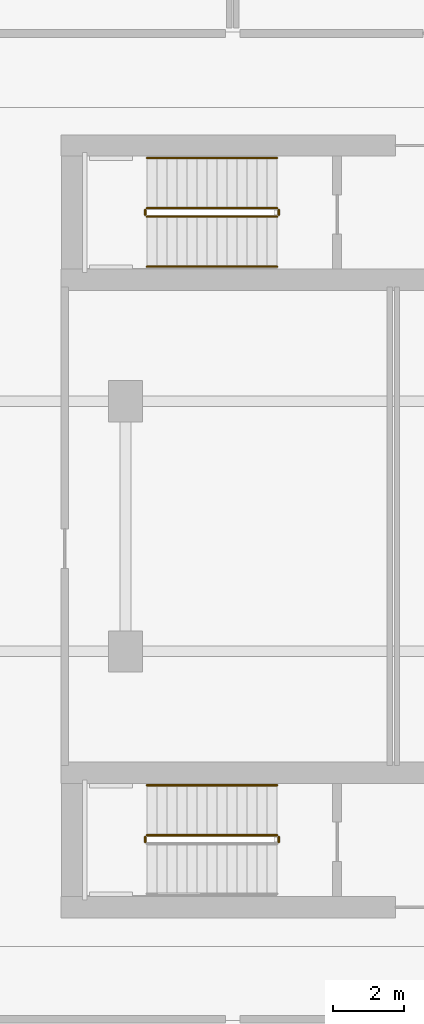
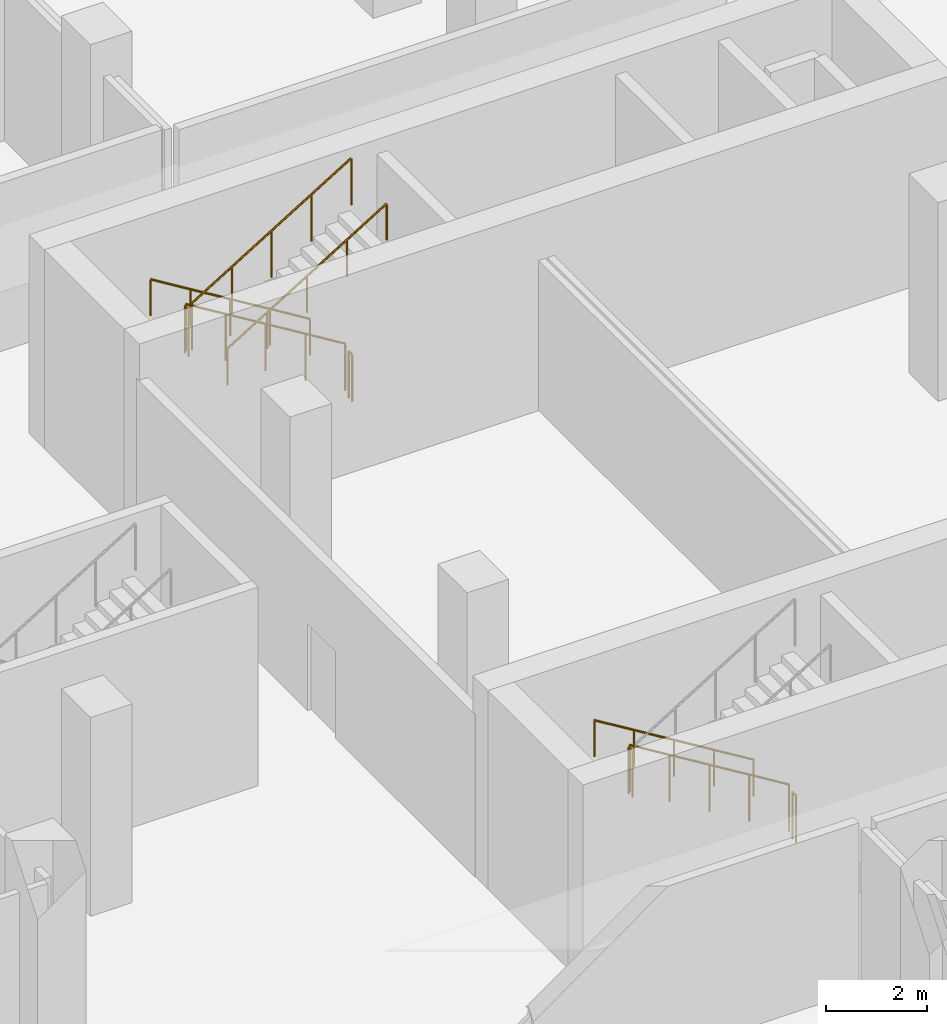
# One storey, part 23 of 23: 10 railings.
"""IFC4 building model written with IfcOpenShell, lengths in metres."""

import ifcopenshell
import ifcopenshell.guid

model = None  # the IFC model being written
_history = None  # IfcOwnerHistory: only IFC2X3 demands one
_inside = {}  # id of a spatial element -> (the spatial element, [elements in it])
_under = {}  # id of a project, library or spatial element -> (it, [spatial elements below it])
_declared = {}  # id of a project -> (the project, [libraries it declares])
_typed = {}  # id of a type object -> (the type object, [elements of that type])
_made_of = {}  # id of a material, layer set ... -> (it, [elements and type objects made of it])


def new_model(schema):
    """Start an empty IFC model of exactly this schema.

    Asked for "IFC4X3", IfcOpenShell would pick the latest addendum, in which some entities
    have other attributes; the version numbers below select the first issue.
    IFC2X3 requires an IfcOwnerHistory on every rooted entity: one is made here for all.
    """
    global model, _history
    if schema == "IFC4X3":
        model = ifcopenshell.file(schema_version=(4, 3, 0, 0))
    else:
        model = ifcopenshell.file(schema=schema)
    _inside.clear()
    _under.clear()
    _declared.clear()
    _typed.clear()
    _made_of.clear()
    _history = None
    if model.schema == "IFC2X3":
        org = make("IfcOrganization", Name="unknown")
        user = make(
            "IfcPersonAndOrganization",
            ThePerson=make("IfcPerson", FamilyName="unknown"),
            TheOrganization=org,
        )
        app = make(
            "IfcApplication",
            ApplicationDeveloper=org,
            Version="unknown",
            ApplicationFullName="unknown",
            ApplicationIdentifier="unknown",
        )
        _history = make(
            "IfcOwnerHistory",
            OwningUser=user,
            OwningApplication=app,
            ChangeAction="ADDED",
            CreationDate=0,
        )
    return model


def make(cls, **values):
    """One entity of the class cls with the attributes given. An attribute that is None is left unset."""
    return model.create_entity(
        cls, **{name: value for name, value in values.items() if value is not None}
    )


def rooted(cls, **values):
    """An entity with a GlobalId (a new one), such as an element, a storey or a relation."""
    return make(cls, GlobalId=ifcopenshell.guid.new(), OwnerHistory=_history, **values)


def si_unit(unit_type, name, prefix=None):
    """IfcSIUnit, for example si_unit("LENGTHUNIT", "METRE", prefix="MILLI")."""
    return make("IfcSIUnit", UnitType=unit_type, Prefix=prefix, Name=name)


def derived_unit(unit_type, elements):
    """IfcDerivedUnit: a product of units, each with its exponent."""
    return make(
        "IfcDerivedUnit",
        Elements=[
            make("IfcDerivedUnitElement", Unit=unit, Exponent=power)
            for unit, power in elements
        ],
        UnitType=unit_type,
    )


def assignment(units):
    """IfcUnitAssignment: the units of a project."""
    return None if units is None else make("IfcUnitAssignment", Units=units)


def point(xyz):
    """IfcCartesianPoint."""
    return None if xyz is None else make("IfcCartesianPoint", Coordinates=xyz)


def direction(xyz):
    """IfcDirection."""
    return None if xyz is None else make("IfcDirection", DirectionRatios=xyz)


def frame(location, z_axis=None, x_axis=None):
    """IfcAxis2Placement3D, a coordinate frame: its origin and axes. An axis left out is left unset."""
    return make(
        "IfcAxis2Placement3D",
        Location=point(location),
        Axis=direction(z_axis),
        RefDirection=direction(x_axis),
    )


def frame_2d(location, x_axis=None):
    """IfcAxis2Placement2D, a coordinate frame in the plane: its origin and x axis."""
    return make(
        "IfcAxis2Placement2D", Location=point(location), RefDirection=direction(x_axis)
    )


def origin():
    """The frame at (0, 0, 0) with its axes left unset."""
    return frame((0.0, 0.0, 0.0))


def origin_2d():
    """The frame at (0, 0) in the plane with its x axis left unset."""
    return frame_2d((0.0, 0.0))


def place(relative_to, where):
    """IfcLocalPlacement: puts the frame where relative to a parent placement (None: the world)."""
    return make(
        "IfcLocalPlacement", PlacementRelTo=relative_to, RelativePlacement=where
    )


def context(
    kind, dimensions, precision=None, world=None, true_north=None, identifier=None
):
    """IfcGeometricRepresentationContext, for example the 3D "Model" context."""
    return make(
        "IfcGeometricRepresentationContext",
        ContextIdentifier=identifier,
        ContextType=kind,
        CoordinateSpaceDimension=dimensions,
        Precision=precision,
        WorldCoordinateSystem=world,
        TrueNorth=true_north,
    )


def subcontext(parent, identifier, kind, view, scale=None):
    """IfcGeometricRepresentationSubContext, for example "Body" below "Model"."""
    return make(
        "IfcGeometricRepresentationSubContext",
        ContextIdentifier=identifier,
        ContextType=kind,
        ParentContext=parent,
        TargetScale=scale,
        TargetView=view,
    )


def project(units=None, contexts=None):
    """IfcProject with its units and contexts."""
    return rooted(
        "IfcProject",
        Name="project",
        RepresentationContexts=contexts,
        UnitsInContext=assignment(units),
    )


def spatial(cls, under=None, at=None, **own):
    """A site, building, storey or space (cls), placed at a placement, below another one or the project."""
    s = rooted(cls, ObjectPlacement=at, **own)
    if under is not None:
        _under.setdefault(under.id(), (under, []))[1].append(s)
    return s


def profile(cls, at=None, kind="AREA", **sizes):
    """A parametric profile (cls). Its sizes go by their IFC names, for example OverallWidth=200.0."""
    return make(cls, ProfileType=kind, Position=at, **sizes)


def circle(**sizes):
    """IfcCircleProfileDef."""
    return profile("IfcCircleProfileDef", **sizes)


def extrude(swept, where, along, depth):
    """IfcExtrudedAreaSolid: the profile swept, set in the frame where, extruded along a direction by depth."""
    return make(
        "IfcExtrudedAreaSolid",
        SweptArea=swept,
        Position=where,
        ExtrudedDirection=direction(along),
        Depth=depth,
    )


def shape(context_of_items, identifier, shape_type, items):
    """IfcShapeRepresentation: the items that make up one representation, for example the "Body"."""
    return make(
        "IfcShapeRepresentation",
        ContextOfItems=context_of_items,
        RepresentationIdentifier=identifier,
        RepresentationType=shape_type,
        Items=items,
    )


def material(Name=None, Category=None):
    """IfcMaterial."""
    return make("IfcMaterial", Name=Name, Category=Category)


def made_of(thing, what):
    """Note that an element or type object is made of a material, layer set ...; save() writes the relation."""
    if what is not None:
        _made_of.setdefault(what.id(), (what, []))[1].append(thing)
    return thing


def type_object(cls, material=None, **own):
    """A type object (cls), such as IfcWallType, which elements share."""
    return made_of(rooted(cls, **own), material)


def element(
    cls,
    number,
    at=None,
    inside=None,
    cuts=None,
    type_object=None,
    material=None,
    context=None,
    identifier="Body",
    shape_type=None,
    held_by="IfcProductDefinitionShape",
    body=None,
    shapes=None,
    **own,
):
    """One element of the class cls, such as IfcWall. Its Tag is "e" and its number.

    at: its placement. inside: the storey or other place that contains it. cuts: it is an
    opening in that element (IfcRelVoidsElement). A single representation is given by context,
    identifier, shape_type and body (its items); several are given by shapes. held_by: the class
    of the entity that holds the representations. save() writes the other relations.
    """
    e = rooted(cls, Tag="e%d" % number, ObjectPlacement=at, **own)
    if body is not None:
        shapes = [shape(context, identifier, shape_type, body)]
    if shapes is not None:
        e.Representation = make(held_by, Representations=shapes)
    if inside is not None:
        _inside.setdefault(inside.id(), (inside, []))[1].append(e)
    if cuts is not None:
        rooted(
            "IfcRelVoidsElement", RelatingBuildingElement=cuts, RelatedOpeningElement=e
        )
    if type_object is not None:
        _typed.setdefault(type_object.id(), (type_object, []))[1].append(e)
    return made_of(e, material)


def aggregate(whole, parts):
    """IfcRelAggregates: a whole, such as a stair, and the parts it consists of."""
    return rooted("IfcRelAggregates", RelatingObject=whole, RelatedObjects=parts)


def save(model, path):
    """Write the relations noted so far, then the file.

    IfcRelAggregates (storeys below a building ...), IfcRelContainedInSpatialStructure (elements
    in a storey), IfcRelDefinesByType, IfcRelAssociatesMaterial and IfcRelDeclares: one each for
    every whole, place, type object, material and project.
    """
    for whole, parts in _under.values():
        aggregate(whole, parts)
    for where, things in _inside.values():
        rooted(
            "IfcRelContainedInSpatialStructure",
            RelatedElements=things,
            RelatingStructure=where,
        )
    for kind, things in _typed.values():
        rooted("IfcRelDefinesByType", RelatedObjects=things, RelatingType=kind)
    for what, things in _made_of.values():
        rooted("IfcRelAssociatesMaterial", RelatedObjects=things, RelatingMaterial=what)
    for by, libraries in _declared.values():
        rooted("IfcRelDeclares", RelatingContext=by, RelatedDefinitions=libraries)
    model.write(path)


model = new_model("IFC4")

# Units and contexts
model_context = context("Model", 3, precision=1e-05, world=origin(), true_north=direction((0.0, 1.0)))
body_context = subcontext(model_context, "Body", "Model", "MODEL_VIEW")
ifc_project = project(units=[si_unit("LENGTHUNIT", "METRE"), si_unit("AREAUNIT", "SQUARE_METRE"), si_unit("VOLUMEUNIT", "CUBIC_METRE"), si_unit("PLANEANGLEUNIT", "RADIAN"), si_unit("MASSUNIT", "GRAM", prefix="KILO"), derived_unit("THERMALTRANSMITTANCEUNIT", [(si_unit("POWERUNIT", "WATT"), 1), (si_unit("LENGTHUNIT", "METRE"), -2), (si_unit("THERMODYNAMICTEMPERATUREUNIT", "KELVIN"), -1)])], contexts=[model_context])

# Site, building, storey
site_placement = place(None, origin())
site = spatial("IfcSite", under=ifc_project, at=site_placement, CompositionType="ELEMENT")
building_placement = place(site_placement, origin())
building = spatial("IfcBuilding", under=site, at=building_placement, Name="Kivonza Crest Hotel", CompositionType="ELEMENT")
storey_placement = place(building_placement, frame((0.0, 0.0, 5.39990234375)))
storey = spatial("IfcBuildingStorey", under=building, at=storey_placement, Name="L01", CompositionType="ELEMENT", Elevation=5.39990234375)

# Railings
ifc_material_1 = material(Name="Brushed stainless steel handrail", Category="steel")
railing_type_1 = type_object("IfcRailingType", Name="RL-HAND-900", PredefinedType="HANDRAIL", material=ifc_material_1)
railing_1_placement = place(storey_placement, frame((73.840087890625, 35.31005859375, 0.171630859375)))
element("IfcRailing", 1, at=railing_1_placement, inside=storey, type_object=railing_type_1, Name="L01 ST-T2-N stair handrail 1", PredefinedType="HANDRAIL", context=body_context, shape_type="SweptSolid", body=[
    extrude(circle(Radius=0.02392578125, at=origin_2d()), frame((0.0, 0.0, 0.8759765625), z_axis=(-0.852865859571, 0.0, 0.52213008492), x_axis=(0.0, -1.0, 0.0)), (0.0, 0.0, 1.0), 4.26806640625),
    extrude(circle(Radius=0.02099609375, at=origin_2d()), origin(), (0.0, 0.0, 1.0), 0.851806640625),
    extrude(circle(Radius=0.02099609375, at=origin_2d()), frame((-0.91015625, 0.0, 0.55712890625)), (0.0, 0.0, 1.0), 0.851806640625),
    extrude(circle(Radius=0.02099609375, at=origin_2d()), frame((-1.820068359375, 0.0, 1.1142578125)), (0.0, 0.0, 1.0), 0.851806640625),
    extrude(circle(Radius=0.02099609375, at=origin_2d()), frame((-2.72998046875, 0.0, 1.67138671875)), (0.0, 0.0, 1.0), 0.851806640625),
    extrude(circle(Radius=0.02099609375, at=origin_2d()), frame((-3.64013671875, 0.0, 2.228515625)), (0.0, 0.0, 1.0), 0.851806640625),
])
railing_2_placement = place(storey_placement, frame((70.199951171875, 32.27001953125, 2.571533203125)))
element("IfcRailing", 2, at=railing_2_placement, inside=storey, type_object=railing_type_1, Name="L01 ST-T2-N stair handrail 2", PredefinedType="HANDRAIL", context=body_context, shape_type="SweptSolid", body=[
    extrude(circle(Radius=0.02392578125, at=origin_2d()), frame((0.0, 0.0, 0.8759765625), z_axis=(0.852865859571, 0.0, 0.52213008492), x_axis=(0.0, 1.0, 0.0)), (0.0, 0.0, 1.0), 4.26806640625),
    extrude(circle(Radius=0.02099609375, at=origin_2d()), origin(), (0.0, 0.0, 1.0), 0.851806640625),
    extrude(circle(Radius=0.02099609375, at=origin_2d()), frame((0.91015625, 0.0, 0.55712890625)), (0.0, 0.0, 1.0), 0.851806640625),
    extrude(circle(Radius=0.02099609375, at=origin_2d()), frame((1.820068359375, 0.0, 1.1142578125)), (0.0, 0.0, 1.0), 0.851806640625),
    extrude(circle(Radius=0.02099609375, at=origin_2d()), frame((2.72998046875, 0.0, 1.67138671875)), (0.0, 0.0, 1.0), 0.851806640625),
    extrude(circle(Radius=0.02099609375, at=origin_2d()), frame((3.64013671875, 0.0, 2.228515625)), (0.0, 0.0, 1.0), 0.851806640625),
])
railing_3_placement = place(storey_placement, frame((73.840087890625, 17.75, 0.171630859375)))
element("IfcRailing", 3, at=railing_3_placement, inside=storey, type_object=railing_type_1, Name="L01 ST-T2-S stair handrail 1", PredefinedType="HANDRAIL", context=body_context, shape_type="SweptSolid", body=[
    extrude(circle(Radius=0.02392578125, at=origin_2d()), frame((0.0, 0.0, 0.8759765625), z_axis=(-0.852865859571, 0.0, 0.52213008492), x_axis=(0.0, -1.0, 0.0)), (0.0, 0.0, 1.0), 4.26806640625),
    extrude(circle(Radius=0.02099609375, at=origin_2d()), origin(), (0.0, 0.0, 1.0), 0.851806640625),
    extrude(circle(Radius=0.02099609375, at=origin_2d()), frame((-0.91015625, 0.0, 0.55712890625)), (0.0, 0.0, 1.0), 0.851806640625),
    extrude(circle(Radius=0.02099609375, at=origin_2d()), frame((-1.820068359375, 0.0, 1.1142578125)), (0.0, 0.0, 1.0), 0.851806640625),
    extrude(circle(Radius=0.02099609375, at=origin_2d()), frame((-2.72998046875, 0.0, 1.67138671875)), (0.0, 0.0, 1.0), 0.851806640625),
    extrude(circle(Radius=0.02099609375, at=origin_2d()), frame((-3.64013671875, 0.0, 2.228515625)), (0.0, 0.0, 1.0), 0.851806640625),
])
ifc_material_2 = material(Name="Painted steel balustrade", Category="steel")
railing_type_2 = type_object("IfcRailingType", Name="RL-STAIR-1150", PredefinedType="BALUSTRADE", material=ifc_material_2)
railing_4_placement = place(storey_placement, frame((73.840087890625, 33.909912109375, 0.171630859375)))
element("IfcRailing", 4, at=railing_4_placement, inside=storey, type_object=railing_type_2, Name="L01 ST-T2-N stair guard 1", PredefinedType="BALUSTRADE", context=body_context, shape_type="SweptSolid", body=[
    extrude(circle(Radius=0.02392578125, at=origin_2d()), frame((0.0, 0.0, 1.1259765625), z_axis=(-0.852865859571, 0.0, 0.52213008492), x_axis=(0.0, -1.0, 0.0)), (0.0, 0.0, 1.0), 4.26806640625),
    extrude(circle(Radius=0.02099609375, at=origin_2d()), origin(), (0.0, 0.0, 1.0), 1.101806640625),
    extrude(circle(Radius=0.02099609375, at=origin_2d()), frame((-0.91015625, 0.0, 0.55712890625)), (0.0, 0.0, 1.0), 1.101806640625),
    extrude(circle(Radius=0.02099609375, at=origin_2d()), frame((-1.820068359375, 0.0, 1.1142578125)), (0.0, 0.0, 1.0), 1.101806640625),
    extrude(circle(Radius=0.02099609375, at=origin_2d()), frame((-2.72998046875, 0.0, 1.67138671875)), (0.0, 0.0, 1.0), 1.101806640625),
    extrude(circle(Radius=0.02099609375, at=origin_2d()), frame((-3.64013671875, 0.0, 2.228515625)), (0.0, 0.0, 1.0), 1.101806640625),
])
railing_5_placement = place(storey_placement, frame((70.14990234375, 33.860107421875, 2.400146484375)))
element("IfcRailing", 5, at=railing_5_placement, inside=storey, type_object=railing_type_2, Name="L01 ST-T2-N stair guard 2", PredefinedType="BALUSTRADE", context=body_context, shape_type="SweptSolid", body=[
    extrude(circle(Radius=0.02392578125, at=origin_2d()), frame((0.0, 0.0, 1.1259765625), z_axis=(0.0, -1.0, 0.0), x_axis=(1.0, 0.0, 0.0)), (0.0, 0.0, 1.0), 0.14013671875),
    extrude(circle(Radius=0.02099609375, at=origin_2d()), origin(), (0.0, 0.0, 1.0), 1.101806640625),
    extrude(circle(Radius=0.02099609375, at=origin_2d()), frame((0.0, -0.14013671875, 0.0)), (0.0, 0.0, 1.0), 1.101806640625),
])
railing_6_placement = place(storey_placement, frame((70.199951171875, 33.669921875, 2.571533203125)))
element("IfcRailing", 6, at=railing_6_placement, inside=storey, type_object=railing_type_2, Name="L01 ST-T2-N stair guard 3", PredefinedType="BALUSTRADE", context=body_context, shape_type="SweptSolid", body=[
    extrude(circle(Radius=0.02392578125, at=origin_2d()), frame((0.0, 0.0, 1.1259765625), z_axis=(0.852865859571, 0.0, 0.52213008492), x_axis=(0.0, 1.0, 0.0)), (0.0, 0.0, 1.0), 4.26806640625),
    extrude(circle(Radius=0.02099609375, at=origin_2d()), origin(), (0.0, 0.0, 1.0), 1.101806640625),
    extrude(circle(Radius=0.02099609375, at=origin_2d()), frame((0.91015625, 0.0, 0.55712890625)), (0.0, 0.0, 1.0), 1.101806640625),
    extrude(circle(Radius=0.02099609375, at=origin_2d()), frame((1.820068359375, 0.0, 1.1142578125)), (0.0, 0.0, 1.0), 1.101806640625),
    extrude(circle(Radius=0.02099609375, at=origin_2d()), frame((2.72998046875, 0.0, 1.67138671875)), (0.0, 0.0, 1.0), 1.101806640625),
    extrude(circle(Radius=0.02099609375, at=origin_2d()), frame((3.64013671875, 0.0, 2.228515625)), (0.0, 0.0, 1.0), 1.101806640625),
])
railing_7_placement = place(storey_placement, frame((73.889892578125, 33.860107421875, 0.0)))
element("IfcRailing", 7, at=railing_7_placement, inside=storey, type_object=railing_type_2, Name="L01 ST-T2-N stair guard 4", PredefinedType="BALUSTRADE", context=body_context, shape_type="SweptSolid", body=[
    extrude(circle(Radius=0.02392578125, at=origin_2d()), frame((0.0, 0.0, 1.1259765625), z_axis=(0.0, -1.0, 0.0), x_axis=(1.0, 0.0, 0.0)), (0.0, 0.0, 1.0), 0.14013671875),
    extrude(circle(Radius=0.02099609375, at=origin_2d()), origin(), (0.0, 0.0, 1.0), 1.101806640625),
    extrude(circle(Radius=0.02099609375, at=origin_2d()), frame((0.0, -0.14013671875, 0.0)), (0.0, 0.0, 1.0), 1.101806640625),
])
railing_8_placement = place(storey_placement, frame((73.840087890625, 16.35009765625, 0.171630859375)))
element("IfcRailing", 8, at=railing_8_placement, inside=storey, type_object=railing_type_2, Name="L01 ST-T2-S stair guard 1", PredefinedType="BALUSTRADE", context=body_context, shape_type="SweptSolid", body=[
    extrude(circle(Radius=0.02392578125, at=origin_2d()), frame((0.0, 0.0, 1.1259765625), z_axis=(-0.852865859571, 0.0, 0.52213008492), x_axis=(0.0, -1.0, 0.0)), (0.0, 0.0, 1.0), 4.26806640625),
    extrude(circle(Radius=0.02099609375, at=origin_2d()), origin(), (0.0, 0.0, 1.0), 1.101806640625),
    extrude(circle(Radius=0.02099609375, at=origin_2d()), frame((-0.91015625, 0.0, 0.55712890625)), (0.0, 0.0, 1.0), 1.101806640625),
    extrude(circle(Radius=0.02099609375, at=origin_2d()), frame((-1.820068359375, 0.0, 1.1142578125)), (0.0, 0.0, 1.0), 1.101806640625),
    extrude(circle(Radius=0.02099609375, at=origin_2d()), frame((-2.72998046875, 0.0, 1.67138671875)), (0.0, 0.0, 1.0), 1.101806640625),
    extrude(circle(Radius=0.02099609375, at=origin_2d()), frame((-3.64013671875, 0.0, 2.228515625)), (0.0, 0.0, 1.0), 1.101806640625),
])
for number, where, name in (
    (9, (70.14990234375, 16.300048828125, 2.400146484375), "L01 ST-T2-S stair guard 2"),
    (10, (73.889892578125, 16.300048828125, 0.0), "L01 ST-T2-S stair guard 4"),
):
    element("IfcRailing", number, at=place(storey_placement, frame(where)), inside=storey, type_object=railing_type_2, Name=name, PredefinedType="BALUSTRADE", context=body_context, shape_type="SweptSolid", body=[
        extrude(circle(Radius=0.02392578125, at=origin_2d()), frame((0.0, 0.0, 1.1259765625), z_axis=(0.0, -1.0, 0.0), x_axis=(1.0, 0.0, 0.0)), (0.0, 0.0, 1.0), 0.14013671875),
        extrude(circle(Radius=0.02099609375, at=origin_2d()), origin(), (0.0, 0.0, 1.0), 1.101806640625),
        extrude(circle(Radius=0.02099609375, at=origin_2d()), frame((0.0, -0.14013671875, 0.0)), (0.0, 0.0, 1.0), 1.101806640625),
    ])

save(model, "model.ifc")
